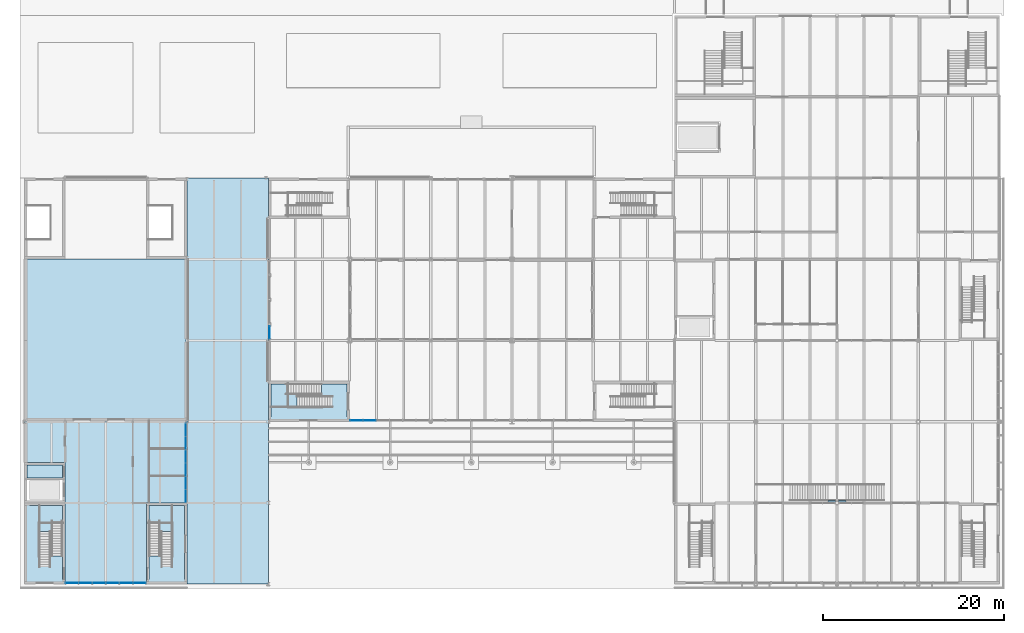
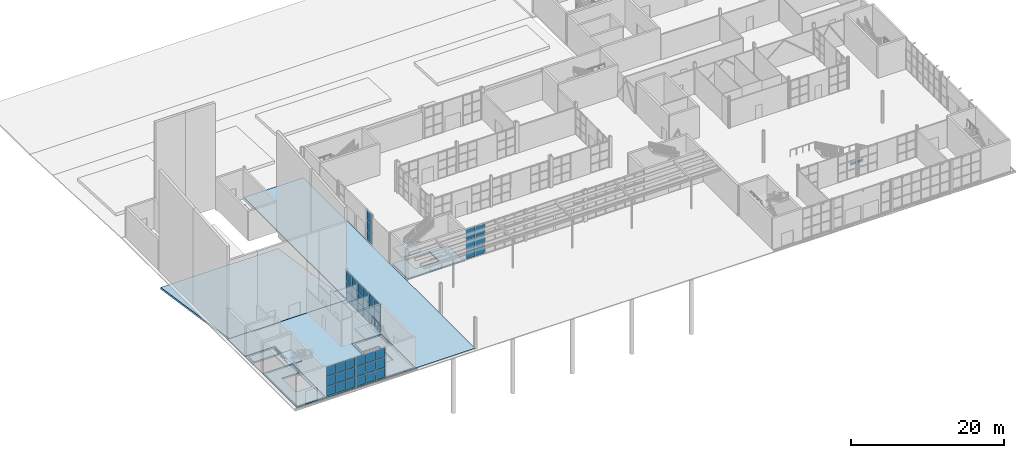
# One storey, part 28 of 63: 45 plates, 10 slabs, 2 beams, 8 elements without a shape of their own.
"""IFC4 building model written with IfcOpenShell, lengths in metres."""

from ifc_helpers import new_model, si_unit, direction, frame, origin, origin_2d, place, context, subcontext, project, spatial, polyline, rectangle, i_section, outline, extrude, material, layer, layer_set, material_profile, profile_set, type_object, element, aggregate, save


model = new_model("IFC4")

# Units and contexts
model_context = context("Model", 3, precision=1e-05, world=origin(), true_north=direction((0.0, 1.0)))
body_context = subcontext(model_context, "Body", "Model", "MODEL_VIEW")
ifc_project = project(units=[si_unit("LENGTHUNIT", "METRE"), si_unit("AREAUNIT", "SQUARE_METRE"), si_unit("VOLUMEUNIT", "CUBIC_METRE"), si_unit("PLANEANGLEUNIT", "RADIAN"), si_unit("MASSUNIT", "GRAM", prefix="KILO")], contexts=[model_context])

# Site, building, storey
site_placement = place(None, origin())
site = spatial("IfcSite", under=ifc_project, at=site_placement, CompositionType="ELEMENT")
building_placement = place(site_placement, origin())
building = spatial("IfcBuilding", under=site, at=building_placement, Name="Halyard Row Museum", CompositionType="ELEMENT")
storey_placement = place(building_placement, origin())
storey = spatial("IfcBuildingStorey", under=building, at=storey_placement, Name="L00", CompositionType="ELEMENT", Elevation=0.0)

# Beams
ifc_material_1 = material(Name="Steel Grade 300", Category="steel")
ifc_material_profile = material_profile(ifc_material_1, i_section(OverallWidth=0.14892578125, OverallDepth=0.298095703125, WebThickness=0.005615234375, FlangeThickness=0.008056640625, FilletRadius=0.012939453125, at=origin_2d()), Name="310UB32.0")
ifc_profile_set = profile_set([ifc_material_profile], Name="Steel Grade 300")
beam_type = type_object("IfcBeamType", Name="Landing bracket 310UB32.0", PredefinedType="BEAM", material=ifc_profile_set)
for number, where, z_axis, x_axis, name in (
    (1, (89.0048828125, 9.194580078125, 2.15087890625), (1.0, 0.0, 0.0), (0.0, 1.0, 0.0), "Feature stair landing side bracket L00 w"),
    (2, (90.9951171875, 9.194580078125, 2.15087890625), (-1.0, 0.0, 0.0), (0.0, -1.0, 0.0), "Feature stair landing side bracket L00 e"),
):
    element("IfcBeam", number, at=place(storey_placement, frame(where, z_axis=z_axis, x_axis=x_axis)), inside=storey, type_object=beam_type, Name=name, PredefinedType="BEAM", context=body_context, shape_type="SweptSolid", body=[
        extrude(i_section(OverallWidth=0.14892578125, OverallDepth=0.298095703125, WebThickness=0.005615234375, FlangeThickness=0.008056640625, FilletRadius=0.012939453125, at=origin_2d()), origin(), (0.0, 0.0, 1.0), 0.834228515625),
    ])

# Slabs
ifc_material_2 = material(Name="Concrete 40 MPa", Category="concrete")
ifc_layer_1 = layer(ifc_material_2, 0.1650390625)
ifc_layer_set_1 = layer_set([ifc_layer_1], Name="Concrete 40 MPa")
slab_type_1 = type_object("IfcSlabType", Name="Composite floor slab", PredefinedType="FLOOR", material=ifc_layer_set_1)
slab_1_placement = place(storey_placement, frame((0.0, 0.0, -0.1650390625)))
element("IfcSlab", 3, at=slab_1_placement, inside=storey, type_object=slab_type_1, Name="Floor slab L00-01", PredefinedType="FLOOR", context=body_context, shape_type="SweptSolid", body=[
    extrude(outline(polyline([(0.0, 0.0), (18.0, 0.0), (18.0, 18.0), (0.0, 18.0), (0.0, 0.0)]), holes=[polyline([(0.0048828125, 0.0048828125), (0.0048828125, 8.9951171875), (4.4951171875, 8.9951171875), (4.4951171875, 0.0048828125), (0.0048828125, 0.0048828125)]), polyline([(13.5048828125, 0.0048828125), (13.5048828125, 8.9951171875), (17.9951171875, 8.9951171875), (17.9951171875, 0.0048828125), (13.5048828125, 0.0048828125)]), polyline([(0.0048828125, 9.0048828125), (0.0048828125, 13.4951171875), (4.4951171875, 13.4951171875), (4.4951171875, 9.0048828125), (0.0048828125, 9.0048828125)])]), origin(), (0.0, 0.0, 1.0), 0.1650390625),
])
ifc_material_3 = material(Name="Concrete 40 MPa", Category="concrete")
ifc_layer_2 = layer(ifc_material_3, 0.25)
ifc_layer_set_2 = layer_set([ifc_layer_2], Name="Concrete 40 MPa")
slab_type_2 = type_object("IfcSlabType", Name="Core floor slab 250", PredefinedType="FLOOR", material=ifc_layer_set_2)
slab_2_placement = place(storey_placement, frame((0.0, 0.0, -0.25)))
element("IfcSlab", 4, at=slab_2_placement, inside=storey, type_object=slab_type_2, Name="Core floor K1D L00", PredefinedType="FLOOR", context=body_context, shape_type="SweptSolid", body=[
    extrude(outline(polyline([(27.0048828125, 18.199951171875), (35.9951171875, 18.199951171875), (35.9951171875, 18.550048828125), (35.699951171875, 18.550048828125), (35.699951171875, 22.199951171875), (27.300048828125, 22.199951171875), (27.300048828125, 18.550048828125), (27.0048828125, 18.550048828125), (27.0048828125, 18.199951171875)]), holes=[polyline([(29.262939453125, 19.653076171875), (29.262939453125, 22.197021484375), (32.89697265625, 22.197021484375), (32.89697265625, 19.653076171875), (29.262939453125, 19.653076171875)])]), origin(), (0.0, 0.0, 1.0), 0.25),
])
slab_3_placement = place(storey_placement, frame((0.0, 0.0, -0.25)))
element("IfcSlab", 5, at=slab_3_placement, inside=storey, type_object=slab_type_2, Name="Core floor K3E L00", PredefinedType="FLOOR", context=body_context, shape_type="SweptSolid", body=[
    extrude(outline(polyline([(13.5048828125, 0.199951171875), (17.9951171875, 0.199951171875), (17.9951171875, 0.550048828125), (17.699951171875, 0.550048828125), (17.699951171875, 8.699951171875), (13.800048828125, 8.699951171875), (13.800048828125, 0.550048828125), (13.5048828125, 0.550048828125), (13.5048828125, 0.199951171875)]), holes=[polyline([(13.802978515625, 3.10302734375), (13.802978515625, 6.737060546875), (16.346923828125, 6.737060546875), (16.346923828125, 3.10302734375), (13.802978515625, 3.10302734375)])]), origin(), (0.0, 0.0, 1.0), 0.25),
])
slab_4_placement = place(storey_placement, frame((0.0, 0.0, -0.25)))
element("IfcSlab", 6, at=slab_4_placement, inside=storey, type_object=slab_type_2, Name="Core floor K3S L00", PredefinedType="FLOOR", context=body_context, shape_type="SweptSolid", body=[
    extrude(outline(polyline([(4.199951171875, 0.550048828125), (4.199951171875, 8.699951171875), (0.550048828125, 8.699951171875), (0.550048828125, 8.9951171875), (0.199951171875, 8.9951171875), (0.199951171875, 0.199951171875), (4.4951171875, 0.199951171875), (4.4951171875, 0.550048828125), (4.199951171875, 0.550048828125)]), holes=[polyline([(1.653076171875, 6.737060546875), (4.197021484375, 6.737060546875), (4.197021484375, 3.10302734375), (1.653076171875, 3.10302734375), (1.653076171875, 6.737060546875)])]), origin(), (0.0, 0.0, 1.0), 0.25),
])
slab_5_placement = place(storey_placement, frame((0.0, 0.0, -0.25)))
element("IfcSlab", 7, at=slab_5_placement, inside=storey, type_object=slab_type_2, Name="Core floor K6 L00", PredefinedType="FLOOR", context=body_context, shape_type="SweptSolid", body=[
    extrude(outline(polyline([(4.199951171875, 13.199951171875), (0.300048828125, 13.199951171875), (0.300048828125, 11.75), (4.199951171875, 11.75), (4.199951171875, 13.199951171875)])), origin(), (0.0, 0.0, 1.0), 0.25),
])

# Curtain wall, plates
ifc_material_4 = material(Name="Double glazed unit, low-emissivity", Category="glass")
ifc_layer_3 = layer(ifc_material_4, 0.199951171875)
ifc_layer_set_3 = layer_set([ifc_layer_3], Name="Double glazed unit, low-emissivity")
curtain_wall_type_1 = type_object("IfcCurtainWallType", Name="Curtain wall shopfront 200 deep", PredefinedType="NOTDEFINED", material=ifc_layer_set_3)
curtain_wall_1_placement = place(storey_placement, origin())
curtain_wall_1 = element("IfcCurtainWall", 8, at=curtain_wall_1_placement, inside=storey, type_object=curtain_wall_type_1, Name="Curtain wall CW012", PredefinedType="NOTDEFINED")
ifc_material_5 = material(Name="Double glazed unit, low-emissivity", Category="glass")
ifc_layer_4 = layer(ifc_material_5, 0.031982421875)
ifc_layer_set_4 = layer_set([ifc_layer_4], Name="Double glazed unit, low-emissivity")
plate_type_1 = type_object("IfcPlateType", Name="Curtain wall glazed panel CP1 32", PredefinedType="CURTAIN_PANEL", material=ifc_layer_set_4)
plate_1_placement = place(storey_placement, frame((27.14990234375, 27.89990234375, 0.06494140625), z_axis=(0.0, 0.0, 1.0), x_axis=(0.0, -1.0, 0.0)))
plate_1 = element("IfcPlate", 9, at=plate_1_placement, type_object=plate_type_1, Name="CW012 panel 1.1", PredefinedType="CURTAIN_PANEL", context=body_context, shape_type="SweptSolid", body=[
    extrude(rectangle(XDim=1.3701171875, YDim=0.031982421875, at=origin_2d()), origin(), (0.0, 0.0, 1.0), 1.51416015625),
])
plate_2_placement = place(storey_placement, frame((27.14990234375, 27.89990234375, 1.64404296875), z_axis=(0.0, 0.0, 1.0), x_axis=(0.0, -1.0, 0.0)))
plate_2 = element("IfcPlate", 10, at=plate_2_placement, type_object=plate_type_1, Name="CW012 panel 1.2", PredefinedType="CURTAIN_PANEL", context=body_context, shape_type="SweptSolid", body=[
    extrude(rectangle(XDim=1.3701171875, YDim=0.031982421875, at=origin_2d()), origin(), (0.0, 0.0, 1.0), 1.546630859375),
])
plate_3_placement = place(storey_placement, frame((27.14990234375, 27.89990234375, 3.255859375), z_axis=(0.0, 0.0, 1.0), x_axis=(0.0, -1.0, 0.0)))
plate_3 = element("IfcPlate", 11, at=plate_3_placement, type_object=plate_type_1, Name="CW012 panel 1.3", PredefinedType="CURTAIN_PANEL", context=body_context, shape_type="SweptSolid", body=[
    extrude(rectangle(XDim=1.3701171875, YDim=0.031982421875, at=origin_2d()), origin(), (0.0, 0.0, 1.0), 1.51416015625),
])
aggregate(curtain_wall_1, [plate_1, plate_2, plate_3])

curtain_wall_2_placement = place(storey_placement, origin())
curtain_wall_2 = element("IfcCurtainWall", 12, at=curtain_wall_2_placement, inside=storey, type_object=curtain_wall_type_1, Name="Curtain wall CW013", PredefinedType="NOTDEFINED")
plate_4_placement = place(storey_placement, frame((36.753662109375, 18.14990234375, 0.06494140625), z_axis=(0.0, 0.0, 1.0), x_axis=(1.0, 0.0, 0.0)))
plate_4 = element("IfcPlate", 13, at=plate_4_placement, type_object=plate_type_1, Name="CW013 panel 1.1", PredefinedType="CURTAIN_PANEL", context=body_context, shape_type="SweptSolid", body=[
    extrude(rectangle(XDim=1.37744140625, YDim=0.031982421875, at=origin_2d()), origin(), (0.0, 0.0, 1.0), 1.51416015625),
])
plate_5_placement = place(storey_placement, frame((36.753662109375, 18.14990234375, 1.64404296875), z_axis=(0.0, 0.0, 1.0), x_axis=(1.0, 0.0, 0.0)))
plate_5 = element("IfcPlate", 14, at=plate_5_placement, type_object=plate_type_1, Name="CW013 panel 1.2", PredefinedType="CURTAIN_PANEL", context=body_context, shape_type="SweptSolid", body=[
    extrude(rectangle(XDim=1.37744140625, YDim=0.031982421875, at=origin_2d()), origin(), (0.0, 0.0, 1.0), 1.546630859375),
])
plate_6_placement = place(storey_placement, frame((36.753662109375, 18.14990234375, 3.255859375), z_axis=(0.0, 0.0, 1.0), x_axis=(1.0, 0.0, 0.0)))
plate_6 = element("IfcPlate", 15, at=plate_6_placement, type_object=plate_type_1, Name="CW013 panel 1.3", PredefinedType="CURTAIN_PANEL", context=body_context, shape_type="SweptSolid", body=[
    extrude(rectangle(XDim=1.37744140625, YDim=0.031982421875, at=origin_2d()), origin(), (0.0, 0.0, 1.0), 1.51416015625),
])
plate_7_placement = place(storey_placement, frame((38.21240234375, 18.14990234375, 0.06494140625), z_axis=(0.0, 0.0, 1.0), x_axis=(1.0, 0.0, 0.0)))
plate_7 = element("IfcPlate", 16, at=plate_7_placement, type_object=plate_type_1, Name="CW013 panel 2.1", PredefinedType="CURTAIN_PANEL", context=body_context, shape_type="SweptSolid", body=[
    extrude(rectangle(XDim=1.409912109375, YDim=0.031982421875, at=origin_2d()), origin(), (0.0, 0.0, 1.0), 1.51416015625),
])
plate_8_placement = place(storey_placement, frame((38.21240234375, 18.14990234375, 1.64404296875), z_axis=(0.0, 0.0, 1.0), x_axis=(1.0, 0.0, 0.0)))
plate_8 = element("IfcPlate", 17, at=plate_8_placement, type_object=plate_type_1, Name="CW013 panel 2.2", PredefinedType="CURTAIN_PANEL", context=body_context, shape_type="SweptSolid", body=[
    extrude(rectangle(XDim=1.409912109375, YDim=0.031982421875, at=origin_2d()), origin(), (0.0, 0.0, 1.0), 1.546630859375),
])
plate_9_placement = place(storey_placement, frame((38.21240234375, 18.14990234375, 3.255859375), z_axis=(0.0, 0.0, 1.0), x_axis=(1.0, 0.0, 0.0)))
plate_9 = element("IfcPlate", 18, at=plate_9_placement, type_object=plate_type_1, Name="CW013 panel 2.3", PredefinedType="CURTAIN_PANEL", context=body_context, shape_type="SweptSolid", body=[
    extrude(rectangle(XDim=1.409912109375, YDim=0.031982421875, at=origin_2d()), origin(), (0.0, 0.0, 1.0), 1.51416015625),
])
aggregate(curtain_wall_2, [plate_4, plate_5, plate_6, plate_7, plate_8, plate_9])

ifc_material_6 = material(Name="Acoustic laminated double glazed unit", Category="glass")
ifc_layer_5 = layer(ifc_material_6, 0.239990234375)
ifc_layer_set_5 = layer_set([ifc_layer_5], Name="Acoustic laminated double glazed unit")
curtain_wall_type_2 = type_object("IfcCurtainWallType", Name="Curtain wall foyer 240 deep", PredefinedType="NOTDEFINED", material=ifc_layer_set_5)
curtain_wall_3_placement = place(storey_placement, origin())
curtain_wall_3 = element("IfcCurtainWall", 19, at=curtain_wall_3_placement, inside=storey, type_object=curtain_wall_type_2, Name="Curtain wall CW017", PredefinedType="NOTDEFINED")
ifc_material_7 = material(Name="Acoustic laminated double glazed unit", Category="glass")
ifc_layer_6 = layer(ifc_material_7, 0.0439453125)
ifc_layer_set_6 = layer_set([ifc_layer_6], Name="Acoustic laminated double glazed unit")
plate_type_2 = type_object("IfcPlateType", Name="Curtain wall glazed panel CP4 44", PredefinedType="CURTAIN_PANEL", material=ifc_layer_set_6)
plate_10_placement = place(storey_placement, frame((5.267578125, 0.139892578125, 0.06982421875), z_axis=(0.0, 0.0, 1.0), x_axis=(1.0, 0.0, 0.0)))
plate_10 = element("IfcPlate", 20, at=plate_10_placement, type_object=plate_type_2, Name="CW017 panel 1.1", PredefinedType="CURTAIN_PANEL", context=body_context, shape_type="SweptSolid", body=[
    extrude(rectangle(XDim=1.39501953125, YDim=0.0439453125, at=origin_2d()), origin(), (0.0, 0.0, 1.0), 1.506591796875),
])
plate_11_placement = place(storey_placement, frame((5.267578125, 0.139892578125, 1.646484375), z_axis=(0.0, 0.0, 1.0), x_axis=(1.0, 0.0, 0.0)))
plate_11 = element("IfcPlate", 21, at=plate_11_placement, type_object=plate_type_2, Name="CW017 panel 1.2", PredefinedType="CURTAIN_PANEL", context=body_context, shape_type="SweptSolid", body=[
    extrude(rectangle(XDim=1.39501953125, YDim=0.0439453125, at=origin_2d()), origin(), (0.0, 0.0, 1.0), 1.541748046875),
])
plate_12_placement = place(storey_placement, frame((5.267578125, 0.139892578125, 3.25830078125), z_axis=(0.0, 0.0, 1.0), x_axis=(1.0, 0.0, 0.0)))
plate_12 = element("IfcPlate", 22, at=plate_12_placement, type_object=plate_type_2, Name="CW017 panel 1.3", PredefinedType="CURTAIN_PANEL", context=body_context, shape_type="SweptSolid", body=[
    extrude(rectangle(XDim=1.39501953125, YDim=0.0439453125, at=origin_2d()), origin(), (0.0, 0.0, 1.0), 1.506591796875),
])
plate_13_placement = place(storey_placement, frame((6.75, 0.139892578125, 0.06982421875), z_axis=(0.0, 0.0, 1.0), x_axis=(1.0, 0.0, 0.0)))
plate_13 = element("IfcPlate", 23, at=plate_13_placement, type_object=plate_type_2, Name="CW017 panel 2.1", PredefinedType="CURTAIN_PANEL", context=body_context, shape_type="SweptSolid", body=[
    extrude(rectangle(XDim=1.429931640625, YDim=0.0439453125, at=origin_2d()), origin(), (0.0, 0.0, 1.0), 1.506591796875),
])
plate_14_placement = place(storey_placement, frame((6.75, 0.139892578125, 1.646484375), z_axis=(0.0, 0.0, 1.0), x_axis=(1.0, 0.0, 0.0)))
plate_14 = element("IfcPlate", 24, at=plate_14_placement, type_object=plate_type_2, Name="CW017 panel 2.2", PredefinedType="CURTAIN_PANEL", context=body_context, shape_type="SweptSolid", body=[
    extrude(rectangle(XDim=1.429931640625, YDim=0.0439453125, at=origin_2d()), origin(), (0.0, 0.0, 1.0), 1.541748046875),
])
plate_15_placement = place(storey_placement, frame((6.75, 0.139892578125, 3.25830078125), z_axis=(0.0, 0.0, 1.0), x_axis=(1.0, 0.0, 0.0)))
plate_15 = element("IfcPlate", 25, at=plate_15_placement, type_object=plate_type_2, Name="CW017 panel 2.3", PredefinedType="CURTAIN_PANEL", context=body_context, shape_type="SweptSolid", body=[
    extrude(rectangle(XDim=1.429931640625, YDim=0.0439453125, at=origin_2d()), origin(), (0.0, 0.0, 1.0), 1.506591796875),
])
plate_16_placement = place(storey_placement, frame((8.232421875, 0.139892578125, 0.06982421875), z_axis=(0.0, 0.0, 1.0), x_axis=(1.0, 0.0, 0.0)))
plate_16 = element("IfcPlate", 26, at=plate_16_placement, type_object=plate_type_2, Name="CW017 panel 3.1", PredefinedType="CURTAIN_PANEL", context=body_context, shape_type="SweptSolid", body=[
    extrude(rectangle(XDim=1.39501953125, YDim=0.0439453125, at=origin_2d()), origin(), (0.0, 0.0, 1.0), 1.506591796875),
])
plate_17_placement = place(storey_placement, frame((8.232421875, 0.139892578125, 1.646484375), z_axis=(0.0, 0.0, 1.0), x_axis=(1.0, 0.0, 0.0)))
plate_17 = element("IfcPlate", 27, at=plate_17_placement, type_object=plate_type_2, Name="CW017 panel 3.2", PredefinedType="CURTAIN_PANEL", context=body_context, shape_type="SweptSolid", body=[
    extrude(rectangle(XDim=1.39501953125, YDim=0.0439453125, at=origin_2d()), origin(), (0.0, 0.0, 1.0), 1.541748046875),
])
plate_18_placement = place(storey_placement, frame((8.232421875, 0.139892578125, 3.25830078125), z_axis=(0.0, 0.0, 1.0), x_axis=(1.0, 0.0, 0.0)))
plate_18 = element("IfcPlate", 28, at=plate_18_placement, type_object=plate_type_2, Name="CW017 panel 3.3", PredefinedType="CURTAIN_PANEL", context=body_context, shape_type="SweptSolid", body=[
    extrude(rectangle(XDim=1.39501953125, YDim=0.0439453125, at=origin_2d()), origin(), (0.0, 0.0, 1.0), 1.506591796875),
])
aggregate(curtain_wall_3, [plate_10, plate_11, plate_12, plate_13, plate_14, plate_15, plate_16, plate_17, plate_18])

curtain_wall_4_placement = place(storey_placement, origin())
curtain_wall_4 = element("IfcCurtainWall", 29, at=curtain_wall_4_placement, inside=storey, type_object=curtain_wall_type_2, Name="Curtain wall CW018", PredefinedType="NOTDEFINED")
plate_19_placement = place(storey_placement, frame((9.767578125, 0.139892578125, 0.06982421875), z_axis=(0.0, 0.0, 1.0), x_axis=(1.0, 0.0, 0.0)))
plate_19 = element("IfcPlate", 30, at=plate_19_placement, type_object=plate_type_2, Name="CW018 panel 1.1", PredefinedType="CURTAIN_PANEL", context=body_context, shape_type="SweptSolid", body=[
    extrude(rectangle(XDim=1.39501953125, YDim=0.0439453125, at=origin_2d()), origin(), (0.0, 0.0, 1.0), 1.506591796875),
])
plate_20_placement = place(storey_placement, frame((9.767578125, 0.139892578125, 1.646484375), z_axis=(0.0, 0.0, 1.0), x_axis=(1.0, 0.0, 0.0)))
plate_20 = element("IfcPlate", 31, at=plate_20_placement, type_object=plate_type_2, Name="CW018 panel 1.2", PredefinedType="CURTAIN_PANEL", context=body_context, shape_type="SweptSolid", body=[
    extrude(rectangle(XDim=1.39501953125, YDim=0.0439453125, at=origin_2d()), origin(), (0.0, 0.0, 1.0), 1.541748046875),
])
plate_21_placement = place(storey_placement, frame((9.767578125, 0.139892578125, 3.25830078125), z_axis=(0.0, 0.0, 1.0), x_axis=(1.0, 0.0, 0.0)))
plate_21 = element("IfcPlate", 32, at=plate_21_placement, type_object=plate_type_2, Name="CW018 panel 1.3", PredefinedType="CURTAIN_PANEL", context=body_context, shape_type="SweptSolid", body=[
    extrude(rectangle(XDim=1.39501953125, YDim=0.0439453125, at=origin_2d()), origin(), (0.0, 0.0, 1.0), 1.506591796875),
])
plate_22_placement = place(storey_placement, frame((11.25, 0.139892578125, 0.06982421875), z_axis=(0.0, 0.0, 1.0), x_axis=(1.0, 0.0, 0.0)))
plate_22 = element("IfcPlate", 33, at=plate_22_placement, type_object=plate_type_2, Name="CW018 panel 2.1", PredefinedType="CURTAIN_PANEL", context=body_context, shape_type="SweptSolid", body=[
    extrude(rectangle(XDim=1.429931640625, YDim=0.0439453125, at=origin_2d()), origin(), (0.0, 0.0, 1.0), 1.506591796875),
])
plate_23_placement = place(storey_placement, frame((11.25, 0.139892578125, 1.646484375), z_axis=(0.0, 0.0, 1.0), x_axis=(1.0, 0.0, 0.0)))
plate_23 = element("IfcPlate", 34, at=plate_23_placement, type_object=plate_type_2, Name="CW018 panel 2.2", PredefinedType="CURTAIN_PANEL", context=body_context, shape_type="SweptSolid", body=[
    extrude(rectangle(XDim=1.429931640625, YDim=0.0439453125, at=origin_2d()), origin(), (0.0, 0.0, 1.0), 1.541748046875),
])
plate_24_placement = place(storey_placement, frame((11.25, 0.139892578125, 3.25830078125), z_axis=(0.0, 0.0, 1.0), x_axis=(1.0, 0.0, 0.0)))
plate_24 = element("IfcPlate", 35, at=plate_24_placement, type_object=plate_type_2, Name="CW018 panel 2.3", PredefinedType="CURTAIN_PANEL", context=body_context, shape_type="SweptSolid", body=[
    extrude(rectangle(XDim=1.429931640625, YDim=0.0439453125, at=origin_2d()), origin(), (0.0, 0.0, 1.0), 1.506591796875),
])
plate_25_placement = place(storey_placement, frame((12.732421875, 0.139892578125, 0.06982421875), z_axis=(0.0, 0.0, 1.0), x_axis=(1.0, 0.0, 0.0)))
plate_25 = element("IfcPlate", 36, at=plate_25_placement, type_object=plate_type_2, Name="CW018 panel 3.1", PredefinedType="CURTAIN_PANEL", context=body_context, shape_type="SweptSolid", body=[
    extrude(rectangle(XDim=1.39501953125, YDim=0.0439453125, at=origin_2d()), origin(), (0.0, 0.0, 1.0), 1.506591796875),
])
plate_26_placement = place(storey_placement, frame((12.732421875, 0.139892578125, 1.646484375), z_axis=(0.0, 0.0, 1.0), x_axis=(1.0, 0.0, 0.0)))
plate_26 = element("IfcPlate", 37, at=plate_26_placement, type_object=plate_type_2, Name="CW018 panel 3.2", PredefinedType="CURTAIN_PANEL", context=body_context, shape_type="SweptSolid", body=[
    extrude(rectangle(XDim=1.39501953125, YDim=0.0439453125, at=origin_2d()), origin(), (0.0, 0.0, 1.0), 1.541748046875),
])
plate_27_placement = place(storey_placement, frame((12.732421875, 0.139892578125, 3.25830078125), z_axis=(0.0, 0.0, 1.0), x_axis=(1.0, 0.0, 0.0)))
plate_27 = element("IfcPlate", 38, at=plate_27_placement, type_object=plate_type_2, Name="CW018 panel 3.3", PredefinedType="CURTAIN_PANEL", context=body_context, shape_type="SweptSolid", body=[
    extrude(rectangle(XDim=1.39501953125, YDim=0.0439453125, at=origin_2d()), origin(), (0.0, 0.0, 1.0), 1.506591796875),
])
aggregate(curtain_wall_4, [plate_19, plate_20, plate_21, plate_22, plate_23, plate_24, plate_25, plate_26, plate_27])

curtain_wall_5_placement = place(storey_placement, origin())
curtain_wall_5 = element("IfcCurtainWall", 39, at=curtain_wall_5_placement, inside=storey, type_object=curtain_wall_type_2, Name="Curtain wall CW019", PredefinedType="NOTDEFINED")
plate_28_placement = place(storey_placement, frame((17.860107421875, 9.7548828125, 0.06982421875), z_axis=(0.0, 0.0, 1.0), x_axis=(0.0, 1.0, 0.0)))
plate_28 = element("IfcPlate", 40, at=plate_28_placement, type_object=plate_type_2, Name="CW019 panel 1.1", PredefinedType="CURTAIN_PANEL", context=body_context, shape_type="SweptSolid", body=[
    extrude(rectangle(XDim=1.3701171875, YDim=0.0439453125, at=origin_2d()), origin(), (0.0, 0.0, 1.0), 1.506591796875),
])
plate_29_placement = place(storey_placement, frame((17.860107421875, 9.7548828125, 1.646484375), z_axis=(0.0, 0.0, 1.0), x_axis=(0.0, 1.0, 0.0)))
plate_29 = element("IfcPlate", 41, at=plate_29_placement, type_object=plate_type_2, Name="CW019 panel 1.2", PredefinedType="CURTAIN_PANEL", context=body_context, shape_type="SweptSolid", body=[
    extrude(rectangle(XDim=1.3701171875, YDim=0.0439453125, at=origin_2d()), origin(), (0.0, 0.0, 1.0), 1.541748046875),
])
plate_30_placement = place(storey_placement, frame((17.860107421875, 9.7548828125, 3.25830078125), z_axis=(0.0, 0.0, 1.0), x_axis=(0.0, 1.0, 0.0)))
plate_30 = element("IfcPlate", 42, at=plate_30_placement, type_object=plate_type_2, Name="CW019 panel 1.3", PredefinedType="CURTAIN_PANEL", context=body_context, shape_type="SweptSolid", body=[
    extrude(rectangle(XDim=1.3701171875, YDim=0.0439453125, at=origin_2d()), origin(), (0.0, 0.0, 1.0), 1.506591796875),
])
plate_31_placement = place(storey_placement, frame((17.860107421875, 11.21240234375, 0.06982421875), z_axis=(0.0, 0.0, 1.0), x_axis=(0.0, 1.0, 0.0)))
plate_31 = element("IfcPlate", 43, at=plate_31_placement, type_object=plate_type_2, Name="CW019 panel 2.1", PredefinedType="CURTAIN_PANEL", context=body_context, shape_type="SweptSolid", body=[
    extrude(rectangle(XDim=1.405029296875, YDim=0.0439453125, at=origin_2d()), origin(), (0.0, 0.0, 1.0), 1.506591796875),
])
plate_32_placement = place(storey_placement, frame((17.860107421875, 11.21240234375, 1.646484375), z_axis=(0.0, 0.0, 1.0), x_axis=(0.0, 1.0, 0.0)))
plate_32 = element("IfcPlate", 44, at=plate_32_placement, type_object=plate_type_2, Name="CW019 panel 2.2", PredefinedType="CURTAIN_PANEL", context=body_context, shape_type="SweptSolid", body=[
    extrude(rectangle(XDim=1.405029296875, YDim=0.0439453125, at=origin_2d()), origin(), (0.0, 0.0, 1.0), 1.541748046875),
])
plate_33_placement = place(storey_placement, frame((17.860107421875, 11.21240234375, 3.25830078125), z_axis=(0.0, 0.0, 1.0), x_axis=(0.0, 1.0, 0.0)))
plate_33 = element("IfcPlate", 45, at=plate_33_placement, type_object=plate_type_2, Name="CW019 panel 2.3", PredefinedType="CURTAIN_PANEL", context=body_context, shape_type="SweptSolid", body=[
    extrude(rectangle(XDim=1.405029296875, YDim=0.0439453125, at=origin_2d()), origin(), (0.0, 0.0, 1.0), 1.506591796875),
])
plate_34_placement = place(storey_placement, frame((17.860107421875, 12.6875, 0.06982421875), z_axis=(0.0, 0.0, 1.0), x_axis=(0.0, 1.0, 0.0)))
plate_34 = element("IfcPlate", 46, at=plate_34_placement, type_object=plate_type_2, Name="CW019 panel 3.1", PredefinedType="CURTAIN_PANEL", context=body_context, shape_type="SweptSolid", body=[
    extrude(rectangle(XDim=1.405029296875, YDim=0.0439453125, at=origin_2d()), origin(), (0.0, 0.0, 1.0), 1.506591796875),
])
plate_35_placement = place(storey_placement, frame((17.860107421875, 12.6875, 1.646484375), z_axis=(0.0, 0.0, 1.0), x_axis=(0.0, 1.0, 0.0)))
plate_35 = element("IfcPlate", 47, at=plate_35_placement, type_object=plate_type_2, Name="CW019 panel 3.2", PredefinedType="CURTAIN_PANEL", context=body_context, shape_type="SweptSolid", body=[
    extrude(rectangle(XDim=1.405029296875, YDim=0.0439453125, at=origin_2d()), origin(), (0.0, 0.0, 1.0), 1.541748046875),
])
plate_36_placement = place(storey_placement, frame((17.860107421875, 12.6875, 3.25830078125), z_axis=(0.0, 0.0, 1.0), x_axis=(0.0, 1.0, 0.0)))
plate_36 = element("IfcPlate", 48, at=plate_36_placement, type_object=plate_type_2, Name="CW019 panel 3.3", PredefinedType="CURTAIN_PANEL", context=body_context, shape_type="SweptSolid", body=[
    extrude(rectangle(XDim=1.405029296875, YDim=0.0439453125, at=origin_2d()), origin(), (0.0, 0.0, 1.0), 1.506591796875),
])
plate_37_placement = place(storey_placement, frame((17.860107421875, 14.16259765625, 0.06982421875), z_axis=(0.0, 0.0, 1.0), x_axis=(0.0, 1.0, 0.0)))
plate_37 = element("IfcPlate", 49, at=plate_37_placement, type_object=plate_type_2, Name="CW019 panel 4.1", PredefinedType="CURTAIN_PANEL", context=body_context, shape_type="SweptSolid", body=[
    extrude(rectangle(XDim=1.405029296875, YDim=0.0439453125, at=origin_2d()), origin(), (0.0, 0.0, 1.0), 1.506591796875),
])
plate_38_placement = place(storey_placement, frame((17.860107421875, 14.16259765625, 1.646484375), z_axis=(0.0, 0.0, 1.0), x_axis=(0.0, 1.0, 0.0)))
plate_38 = element("IfcPlate", 50, at=plate_38_placement, type_object=plate_type_2, Name="CW019 panel 4.2", PredefinedType="CURTAIN_PANEL", context=body_context, shape_type="SweptSolid", body=[
    extrude(rectangle(XDim=1.405029296875, YDim=0.0439453125, at=origin_2d()), origin(), (0.0, 0.0, 1.0), 1.541748046875),
])
plate_39_placement = place(storey_placement, frame((17.860107421875, 14.16259765625, 3.25830078125), z_axis=(0.0, 0.0, 1.0), x_axis=(0.0, 1.0, 0.0)))
plate_39 = element("IfcPlate", 51, at=plate_39_placement, type_object=plate_type_2, Name="CW019 panel 4.3", PredefinedType="CURTAIN_PANEL", context=body_context, shape_type="SweptSolid", body=[
    extrude(rectangle(XDim=1.405029296875, YDim=0.0439453125, at=origin_2d()), origin(), (0.0, 0.0, 1.0), 1.506591796875),
])
plate_40_placement = place(storey_placement, frame((17.860107421875, 15.637451171875, 0.06982421875), z_axis=(0.0, 0.0, 1.0), x_axis=(0.0, 1.0, 0.0)))
plate_40 = element("IfcPlate", 52, at=plate_40_placement, type_object=plate_type_2, Name="CW019 panel 5.1", PredefinedType="CURTAIN_PANEL", context=body_context, shape_type="SweptSolid", body=[
    extrude(rectangle(XDim=1.405029296875, YDim=0.0439453125, at=origin_2d()), origin(), (0.0, 0.0, 1.0), 1.506591796875),
])
plate_41_placement = place(storey_placement, frame((17.860107421875, 15.637451171875, 1.646484375), z_axis=(0.0, 0.0, 1.0), x_axis=(0.0, 1.0, 0.0)))
plate_41 = element("IfcPlate", 53, at=plate_41_placement, type_object=plate_type_2, Name="CW019 panel 5.2", PredefinedType="CURTAIN_PANEL", context=body_context, shape_type="SweptSolid", body=[
    extrude(rectangle(XDim=1.405029296875, YDim=0.0439453125, at=origin_2d()), origin(), (0.0, 0.0, 1.0), 1.541748046875),
])
plate_42_placement = place(storey_placement, frame((17.860107421875, 15.637451171875, 3.25830078125), z_axis=(0.0, 0.0, 1.0), x_axis=(0.0, 1.0, 0.0)))
plate_42 = element("IfcPlate", 54, at=plate_42_placement, type_object=plate_type_2, Name="CW019 panel 5.3", PredefinedType="CURTAIN_PANEL", context=body_context, shape_type="SweptSolid", body=[
    extrude(rectangle(XDim=1.405029296875, YDim=0.0439453125, at=origin_2d()), origin(), (0.0, 0.0, 1.0), 1.506591796875),
])
plate_43_placement = place(storey_placement, frame((17.860107421875, 17.094970703125, 0.06982421875), z_axis=(0.0, 0.0, 1.0), x_axis=(0.0, 1.0, 0.0)))
plate_43 = element("IfcPlate", 55, at=plate_43_placement, type_object=plate_type_2, Name="CW019 panel 6.1", PredefinedType="CURTAIN_PANEL", context=body_context, shape_type="SweptSolid", body=[
    extrude(rectangle(XDim=1.3701171875, YDim=0.0439453125, at=origin_2d()), origin(), (0.0, 0.0, 1.0), 1.506591796875),
])
plate_44_placement = place(storey_placement, frame((17.860107421875, 17.094970703125, 1.646484375), z_axis=(0.0, 0.0, 1.0), x_axis=(0.0, 1.0, 0.0)))
plate_44 = element("IfcPlate", 56, at=plate_44_placement, type_object=plate_type_2, Name="CW019 panel 6.2", PredefinedType="CURTAIN_PANEL", context=body_context, shape_type="SweptSolid", body=[
    extrude(rectangle(XDim=1.3701171875, YDim=0.0439453125, at=origin_2d()), origin(), (0.0, 0.0, 1.0), 1.541748046875),
])
plate_45_placement = place(storey_placement, frame((17.860107421875, 17.094970703125, 3.25830078125), z_axis=(0.0, 0.0, 1.0), x_axis=(0.0, 1.0, 0.0)))
plate_45 = element("IfcPlate", 57, at=plate_45_placement, type_object=plate_type_2, Name="CW019 panel 6.3", PredefinedType="CURTAIN_PANEL", context=body_context, shape_type="SweptSolid", body=[
    extrude(rectangle(XDim=1.3701171875, YDim=0.0439453125, at=origin_2d()), origin(), (0.0, 0.0, 1.0), 1.506591796875),
])
aggregate(curtain_wall_5, [plate_28, plate_29, plate_30, plate_31, plate_32, plate_33, plate_34, plate_35, plate_36, plate_37, plate_38, plate_39, plate_40, plate_41, plate_42, plate_43, plate_44, plate_45])

# Stair, slab
ifc_material_8 = material(Name="Concrete 40 MPa", Category="concrete")
stair_type = type_object("IfcStairType", Name="Exit stair two flights 1200", PredefinedType="HALF_TURN_STAIR", material=ifc_material_8)
stair_1_placement = place(storey_placement, origin())
stair_1 = element("IfcStair", 58, at=stair_1_placement, inside=storey, type_object=stair_type, Name="Exit stair K1D L00", PredefinedType="HALF_TURN_STAIR")
ifc_material_9 = material(Name="Concrete 40 MPa", Category="concrete")
ifc_layer_7 = layer(ifc_material_9, 0.199951171875)
ifc_layer_set_7 = layer_set([ifc_layer_7], Name="Concrete 40 MPa")
slab_type_3 = type_object("IfcSlabType", Name="Exit stair landing 200", PredefinedType="LANDING", material=ifc_layer_set_7)
slab_6_placement = place(storey_placement, frame((0.0, 0.0, 2.300048828125)))
slab_6 = element("IfcSlab", 59, at=slab_6_placement, type_object=slab_type_3, Name="STK1D-L00 landing 1", PredefinedType="LANDING", context=body_context, shape_type="SweptSolid", body=[
    extrude(outline(polyline([(30.179931640625, 19.64990234375), (30.179931640625, 22.199951171875), (27.300048828125, 22.199951171875), (27.300048828125, 19.64990234375), (30.179931640625, 19.64990234375)])), origin(), (0.0, 0.0, 1.0), 0.199951171875),
])
aggregate(stair_1, [slab_6])

stair_2_placement = place(storey_placement, origin())
stair_2 = element("IfcStair", 60, at=stair_2_placement, inside=storey, type_object=stair_type, Name="Exit stair K3E L00", PredefinedType="HALF_TURN_STAIR")
slab_7_placement = place(storey_placement, frame((0.0, 0.0, 2.300048828125)))
slab_7 = element("IfcSlab", 61, at=slab_7_placement, type_object=slab_type_3, Name="STK3E-L00 landing 1", PredefinedType="LANDING", context=body_context, shape_type="SweptSolid", body=[
    extrude(outline(polyline([(16.35009765625, 5.820068359375), (13.800048828125, 5.820068359375), (13.800048828125, 8.699951171875), (16.35009765625, 8.699951171875), (16.35009765625, 5.820068359375)])), origin(), (0.0, 0.0, 1.0), 0.199951171875),
])
aggregate(stair_2, [slab_7])

stair_3_placement = place(storey_placement, origin())
stair_3 = element("IfcStair", 62, at=stair_3_placement, inside=storey, type_object=stair_type, Name="Exit stair K3S L00", PredefinedType="HALF_TURN_STAIR")
slab_8_placement = place(storey_placement, frame((0.0, 0.0, 2.300048828125)))
slab_8 = element("IfcSlab", 63, at=slab_8_placement, type_object=slab_type_3, Name="STK3S-L00 landing 1", PredefinedType="LANDING", context=body_context, shape_type="SweptSolid", body=[
    extrude(outline(polyline([(1.64990234375, 5.820068359375), (4.199951171875, 5.820068359375), (4.199951171875, 8.699951171875), (1.64990234375, 8.699951171875), (1.64990234375, 5.820068359375)])), origin(), (0.0, 0.0, 1.0), 0.199951171875),
])
aggregate(stair_3, [slab_8])

# Slabs
ifc_material_10 = material(Name="Concrete 40 MPa", Category="concrete")
ifc_layer_8 = layer(ifc_material_10, 0.1650390625)
ifc_layer_set_8 = layer_set([ifc_layer_8], Name="Concrete 40 MPa")
slab_type_4 = type_object("IfcSlabType", Name="Passage floor slab", PredefinedType="FLOOR", material=ifc_layer_set_8)
slab_9_placement = place(storey_placement, frame((0.0, 0.0, -0.1650390625)))
element("IfcSlab", 64, at=slab_9_placement, inside=storey, type_object=slab_type_4, Name="Passage floor slab L00-02", PredefinedType="FLOOR", context=body_context, shape_type="SweptSolid", body=[
    extrude(outline(polyline([(18.0, 0.0), (27.0, 0.0), (27.0, 45.0), (18.0, 45.0), (18.0, 0.0)])), origin(), (0.0, 0.0, 1.0), 0.1650390625),
])
ifc_material_11 = material(Name="Concrete 40 MPa", Category="concrete")
ifc_layer_9 = layer(ifc_material_11, 0.300048828125)
ifc_layer_set_9 = layer_set([ifc_layer_9], Name="Concrete 40 MPa")
slab_type_5 = type_object("IfcSlabType", Name="Raked auditorium floor 300", PredefinedType="FLOOR", material=ifc_layer_set_9)
slab_10_placement = place(storey_placement, frame((17.83642578125, 18.16357421875, -0.024658203125), z_axis=(5.087025e-06, 0.148337850906, 0.988936743155), x_axis=(0.999999999987, -7.54598e-07, -5.030746e-06)))
element("IfcSlab", 65, at=slab_10_placement, inside=storey, type_object=slab_type_5, Name="Raked auditorium floor", PredefinedType="FLOOR", context=body_context, shape_type="SweptSolid", body=[
    extrude(outline(polyline([(0.0, 0.0), (0.16357421874788353, 1.7319094075329017e-23), (0.16357421874293981, 8.806905570309747), (0.03662109374458245, 8.806905570309747), (0.03662109374801892, 9.063652376373346), (0.1635742187463763, 9.063652376373346), (0.1635742181295417, 18.035944031403176), (-4.336425781812233, 18.035944031403176), (-13.336425781695784, 18.035944031403176), (-17.636474609765145, 18.035944031403176), (-17.636474609763123, -0.16542230001571237), (-8.938232422375666, -0.16542230001571237), (-8.938232423049804, -0.06249662407396241), (-8.73461914180244, -0.06249662407396241), (-8.734619141128302, -0.16542230001571237), (-6.163186059269767e-10, -0.16542230001571237), (0.0, 0.0)])), origin(), (0.0, 0.0, -1.0), 0.300048828125),
])

save(model, "model.ifc")
